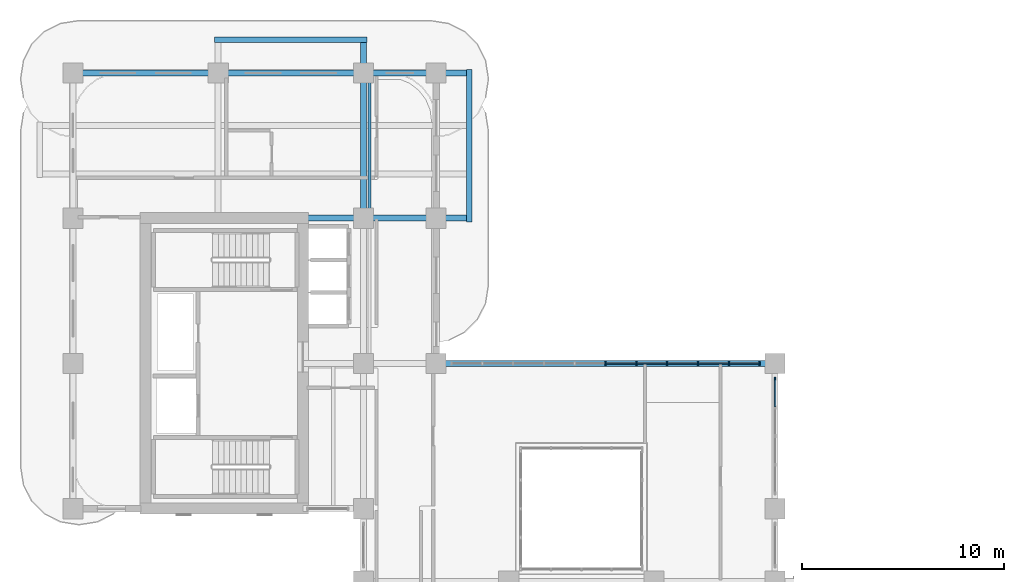
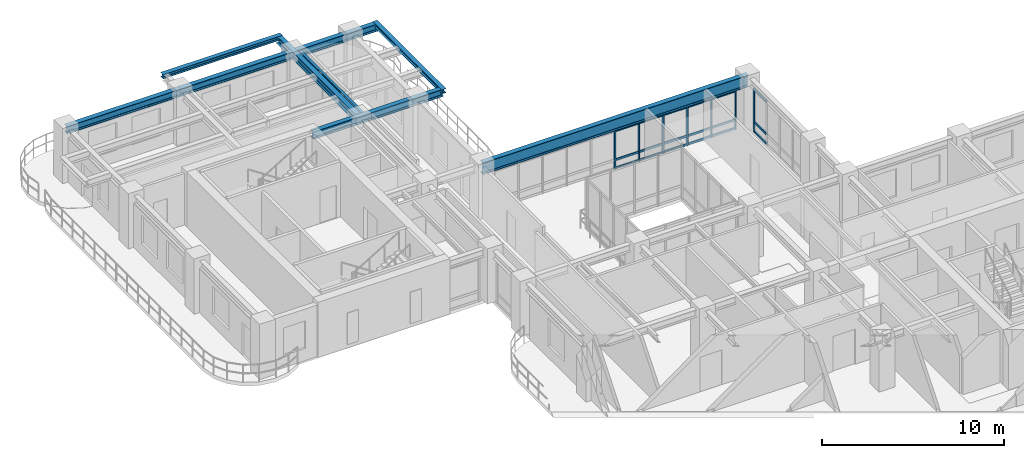
# One storey, part 6 of 20: 25 members, 8 beams, 2 elements without a shape of their own.
"""IFC4 building model written with IfcOpenShell, lengths in metres."""

from ifc_helpers import new_model, si_unit, derived_unit, direction, frame, origin, origin_2d, place, context, subcontext, project, spatial, rectangle, i_section, extrude, source, transform, mapped, material, layer, layer_set, material_profile, profile_set, type_object, type_shapes, element, aggregate, save


model = new_model("IFC4")

# Units and contexts
model_context = context("Model", 3, precision=1e-05, world=origin(), true_north=direction((0.0, 1.0)))
body_context = subcontext(model_context, "Body", "Model", "MODEL_VIEW")
ifc_project = project(units=[si_unit("LENGTHUNIT", "METRE"), si_unit("AREAUNIT", "SQUARE_METRE"), si_unit("VOLUMEUNIT", "CUBIC_METRE"), si_unit("PLANEANGLEUNIT", "RADIAN"), si_unit("MASSUNIT", "GRAM", prefix="KILO"), si_unit("THERMODYNAMICTEMPERATUREUNIT", "KELVIN"), si_unit("POWERUNIT", "WATT"), derived_unit("THERMALTRANSMITTANCEUNIT", [(si_unit("POWERUNIT", "WATT"), 1), (si_unit("AREAUNIT", "SQUARE_METRE"), -1), (si_unit("THERMODYNAMICTEMPERATUREUNIT", "KELVIN"), -1)])], contexts=[model_context])

# Site, building, storey
site_placement = place(None, origin())
site = spatial("IfcSite", under=ifc_project, at=site_placement, CompositionType="ELEMENT")
building_placement = place(site_placement, origin())
building = spatial("IfcBuilding", under=site, at=building_placement, Name="Zahravan Archway Hotel and Residences", CompositionType="ELEMENT")
storey_placement = place(building_placement, frame((0.0, 0.0, 115.5)))
storey = spatial("IfcBuildingStorey", under=building, at=storey_placement, Name="L28", CompositionType="ELEMENT", Elevation=115.5)

# Beams
ifc_material_1 = material(Name="Structural Steel S355JR", Category="steel")
ifc_material_profile_1 = material_profile(ifc_material_1, i_section(OverallWidth=0.280029296875, OverallDepth=0.280029296875, WebThickness=0.010498046875, FlangeThickness=0.01806640625, FilletRadius=0.02392578125, at=origin_2d()), Name="HEB 280", Category="steel")
ifc_profile_set_1 = profile_set([ifc_material_profile_1], Name="Structural Steel S355JR")
beam_type_1 = type_object("IfcBeamType", Name="BM-SPN-HEB280", PredefinedType="SPANDREL", material=ifc_profile_set_1)
shared_shape_1 = source(origin(), body_context, "Body", "SweptSolid", [
    extrude(i_section(OverallWidth=0.280029296875, OverallDepth=0.280029296875, WebThickness=0.010498046875, FlangeThickness=0.01806640625, FilletRadius=0.02392578125, at=origin_2d()), origin(), (0.0, 0.0, 1.0), 7.56005859375),
])
type_shapes(beam_type_1, [shared_shape_1])
for number, where, z_axis, x_axis, name in (
    (1, (19.64990234375, 39.419921875, 3.31005859375), (0.0, 1.0, 0.0), (-1.0, 0.0, 0.0), "L29 EB Balcony Edge Spandrel"),
    (2, (7.02001953125, 48.449951171875, 3.31005859375), (1.0, 0.0, 0.0), (0.0, 1.0, 0.0), "L29 NB Balcony Edge Spandrel"),
):
    element("IfcBeam", number, at=place(storey_placement, frame(where, z_axis=z_axis, x_axis=x_axis)), inside=storey, type_object=beam_type_1, Name=name, PredefinedType="SPANDREL", context=body_context, shape_type="MappedRepresentation", body=[
        mapped(shared_shape_1, transform((0.0, 0.0, 0.0), scale=1.0)),
    ])
ifc_material_2 = material(Name="Structural Steel S355J2", Category="steel")
ifc_material_profile_2 = material_profile(ifc_material_2, i_section(OverallWidth=0.300048828125, OverallDepth=0.800048828125, WebThickness=0.017578125, FlangeThickness=0.032958984375, FilletRadius=0.030029296875, at=origin_2d()), Name="HEB 800", Category="steel")
ifc_profile_set_2 = profile_set([ifc_material_profile_2], Name="Structural Steel S355J2")
beam_type_2 = type_object("IfcBeamType", Name="BM-PRI-HEB800", PredefinedType="BEAM", material=ifc_profile_set_2)
shared_shape_2 = source(origin(), body_context, "Body", "SweptSolid", [
    extrude(i_section(OverallWidth=0.300048828125, OverallDepth=0.800048828125, WebThickness=0.017578125, FlangeThickness=0.032958984375, FilletRadius=0.030029296875, at=origin_2d()), origin(), (0.0, 0.0, 1.0), 16.800048828125),
])
type_shapes(beam_type_2, [shared_shape_2])
beam_1_placement = place(storey_placement, frame((18.0, 32.39990234375, 3.050048828125), z_axis=(1.0, 0.0, 0.0), x_axis=(0.0, 1.0, 0.0)))
element("IfcBeam", 3, at=beam_1_placement, inside=storey, type_object=beam_type_2, Name="L28 Primary Girder EW-18", PredefinedType="BEAM", context=body_context, shape_type="MappedRepresentation", body=[
    mapped(shared_shape_2, transform((0.0, 0.0, 0.0), scale=1.0)),
])
ifc_material_profile_3 = material_profile(ifc_material_1, i_section(OverallWidth=0.300048828125, OverallDepth=0.5, WebThickness=0.014404296875, FlangeThickness=0.028076171875, FilletRadius=0.027099609375, at=origin_2d()), Name="HEB 500", Category="steel")
ifc_profile_set_3 = profile_set([ifc_material_profile_3], Name="Structural Steel S355JR")
beam_type_3 = type_object("IfcBeamType", Name="BM-PRI-HEB500", PredefinedType="BEAM", material=ifc_profile_set_3)
shared_shape_3 = source(origin(), body_context, "Body", "SweptSolid", [
    extrude(i_section(OverallWidth=0.300048828125, OverallDepth=0.5, WebThickness=0.014404296875, FlangeThickness=0.028076171875, FilletRadius=0.027099609375, at=origin_2d()), origin(), (0.0, 0.0, 1.0), 7.199951171875),
])
beam_2_placement = place(storey_placement, frame((0.0, 46.800048828125, 3.199951171875), z_axis=(1.0, 0.0, 0.0), x_axis=(0.0, 1.0, 0.0)))
element("IfcBeam", 4, at=beam_2_placement, inside=storey, type_object=beam_type_3, Name="L28 Primary Girder EW-20", PredefinedType="BEAM", context=body_context, shape_type="MappedRepresentation", body=[
    mapped(shared_shape_3, transform((0.0, 0.0, 0.0), scale=1.0)),
])
ifc_material_profile_4 = material_profile(ifc_material_1, i_section(OverallWidth=0.159912109375, OverallDepth=0.330078125, WebThickness=0.007568359375, FlangeThickness=0.011474609375, FilletRadius=0.01806640625, at=origin_2d()), Name="IPE 330", Category="steel")
ifc_profile_set_4 = profile_set([ifc_material_profile_4], Name="Structural Steel S355JR")
beam_type_4 = type_object("IfcBeamType", Name="BM-JST-IPE330", PredefinedType="JOIST", material=ifc_profile_set_4)
shared_shape_4 = source(origin(), body_context, "Body", "SweptSolid", [
    extrude(i_section(OverallWidth=0.159912109375, OverallDepth=0.330078125, WebThickness=0.007568359375, FlangeThickness=0.011474609375, FilletRadius=0.01806640625, at=origin_2d()), origin(), (0.0, 0.0, 1.0), 6.904052734375),
])
type_shapes(beam_type_4, [shared_shape_4])
beam_3_placement = place(storey_placement, frame((14.699951171875, 39.748046875, 3.284912109375), z_axis=(0.0, 1.0, 0.0), x_axis=(-1.0, 0.0, 0.0)))
element("IfcBeam", 5, at=beam_3_placement, inside=storey, type_object=beam_type_4, Name="L28 Composite Floor Joist 12", PredefinedType="JOIST", context=body_context, shape_type="MappedRepresentation", body=[
    mapped(shared_shape_4, transform((0.0, 0.0, 0.0), scale=1.0)),
])
shared_shape_5 = source(origin(), body_context, "Body", "SweptSolid", [
    extrude(i_section(OverallWidth=0.300048828125, OverallDepth=0.5, WebThickness=0.014404296875, FlangeThickness=0.028076171875, FilletRadius=0.027099609375, at=origin_2d()), origin(), (0.0, 0.0, 1.0), 8.25),
])
beam_4_placement = place(storey_placement, frame((11.39990234375, 39.60009765625, 3.199951171875), z_axis=(1.0, 0.0, 0.0), x_axis=(0.0, 1.0, 0.0)))
element("IfcBeam", 6, at=beam_4_placement, inside=storey, type_object=beam_type_3, Name="L28 Primary Girder EW-19", PredefinedType="BEAM", context=body_context, shape_type="MappedRepresentation", body=[
    mapped(shared_shape_5, transform((0.0, 0.0, 0.0), scale=1.0)),
])
shared_shape_6 = source(origin(), body_context, "Body", "SweptSolid", [
    extrude(i_section(OverallWidth=0.300048828125, OverallDepth=0.5, WebThickness=0.014404296875, FlangeThickness=0.028076171875, FilletRadius=0.027099609375, at=origin_2d()), origin(), (0.0, 0.0, 1.0), 12.449951171875),
])
beam_5_placement = place(storey_placement, frame((7.199951171875, 46.800048828125, 3.199951171875), z_axis=(1.0, 0.0, 0.0), x_axis=(0.0, 1.0, 0.0)))
element("IfcBeam", 7, at=beam_5_placement, inside=storey, type_object=beam_type_3, Name="L28 Primary Girder EW-21", PredefinedType="BEAM", context=body_context, shape_type="MappedRepresentation", body=[
    mapped(shared_shape_6, transform((0.0, 0.0, 0.0), scale=1.0)),
])
shared_shape_7 = source(origin(), body_context, "Body", "SweptSolid", [
    extrude(i_section(OverallWidth=0.300048828125, OverallDepth=0.5, WebThickness=0.014404296875, FlangeThickness=0.028076171875, FilletRadius=0.027099609375, at=origin_2d()), origin(), (0.0, 0.0, 1.0), 8.849853515625),
])
beam_6_placement = place(storey_placement, frame((14.39990234375, 39.60009765625, 3.199951171875), z_axis=(0.0, 1.0, 0.0), x_axis=(-1.0, 0.0, 0.0)))
element("IfcBeam", 8, at=beam_6_placement, inside=storey, type_object=beam_type_3, Name="L28 Primary Girder NS-34", PredefinedType="BEAM", context=body_context, shape_type="MappedRepresentation", body=[
    mapped(shared_shape_7, transform((0.0, 0.0, 0.0), scale=1.0)),
])

# Curtain wall, members
ifc_material_3 = material(Name="Bronze-Anodized Unitised Aluminium & Low-E Glass", Category="aluminium")
ifc_layer = layer(ifc_material_3, 0.179931640625, Name="Bronze-Anodized Unitised Aluminium & Low-E Glass", Category="aluminium")
ifc_layer_set = layer_set([ifc_layer], Name="Bronze-Anodized Unitised Aluminium & Low-E Glass")
curtain_wall_type = type_object("IfcCurtainWallType", Name="CW-ATR-GLAZ", PredefinedType="NOTDEFINED", material=ifc_layer_set)
curtain_wall_1_placement = place(storey_placement, origin())
curtain_wall_1 = element("IfcCurtainWall", 9, at=curtain_wall_1_placement, inside=storey, type_object=curtain_wall_type, Name="L28 Curtain Wall CW-L28-HNG-E-2", PredefinedType="NOTDEFINED")
ifc_material_4 = material(Name="Bronze-Anodized Extruded Aluminium", Category="aluminium")
ifc_material_profile_5 = material_profile(ifc_material_4, rectangle(XDim=0.080078125, YDim=0.139892578125, at=origin_2d()), Name="TRN 80x140", Category="aluminium")
ifc_profile_set_5 = profile_set([ifc_material_profile_5], Name="Bronze-Anodized Extruded Aluminium")
member_type_1 = type_object("IfcMemberType", Name="CWM-TRN-140", PredefinedType="USERDEFINED", material=ifc_profile_set_5)
shared_shape_8 = source(origin(), body_context, "Body", "SweptSolid", [
    extrude(rectangle(XDim=0.080078125, YDim=0.139892578125, at=origin_2d()), origin(), (0.0, 0.0, 1.0), 1.340087890625),
])
member_1_placement = place(storey_placement, frame((34.800048828125, 30.260009765625, 0.070068359375), z_axis=(0.0, 1.0, 0.0), x_axis=(-1.0, 0.0, 0.0)))
member_1 = element("IfcMember", 10, at=member_1_placement, type_object=member_type_1, Name="CW-L28-HNG-E-2 Transom 3-1", ObjectType="TRANSOM", PredefinedType="USERDEFINED", context=body_context, shape_type="MappedRepresentation", body=[
    mapped(shared_shape_8, transform((0.0, 0.0, 0.0), scale=1.0)),
])
member_2_placement = place(storey_placement, frame((34.800048828125, 30.260009765625, 0.704345703125), z_axis=(0.0, 1.0, 0.0), x_axis=(-1.0, 0.0, 0.0)))
member_2 = element("IfcMember", 11, at=member_2_placement, type_object=member_type_1, Name="CW-L28-HNG-E-2 Transom 3-2", ObjectType="TRANSOM", PredefinedType="USERDEFINED", context=body_context, shape_type="MappedRepresentation", body=[
    mapped(shared_shape_8, transform((0.0, 0.0, 0.0), scale=1.0)),
])
member_3_placement = place(storey_placement, frame((34.800048828125, 30.260009765625, 2.864990234375), z_axis=(0.0, 1.0, 0.0), x_axis=(-1.0, 0.0, 0.0)))
member_3 = element("IfcMember", 12, at=member_3_placement, type_object=member_type_1, Name="CW-L28-HNG-E-2 Transom 3-3", ObjectType="TRANSOM", PredefinedType="USERDEFINED", context=body_context, shape_type="MappedRepresentation", body=[
    mapped(shared_shape_8, transform((0.0, 0.0, 0.0), scale=1.0)),
])

curtain_wall_2_placement = place(storey_placement, origin())
curtain_wall_2 = element("IfcCurtainWall", 13, at=curtain_wall_2_placement, inside=storey, type_object=curtain_wall_type, Name="L28 Curtain Wall CW-L28-HNG-N-1", PredefinedType="NOTDEFINED")
ifc_material_profile_6 = material_profile(ifc_material_4, rectangle(XDim=0.080078125, YDim=0.159912109375, at=origin_2d()), Name="MUL 80x160", Category="aluminium")
ifc_profile_set_6 = profile_set([ifc_material_profile_6], Name="Bronze-Anodized Extruded Aluminium")
member_type_2 = type_object("IfcMemberType", Name="CWM-MUL-160", PredefinedType="MULLION", material=ifc_profile_set_6)
shared_shape_9 = source(origin(), body_context, "Body", "SweptSolid", [
    extrude(rectangle(XDim=0.080078125, YDim=0.159912109375, at=origin_2d()), origin(), (0.0, 0.0, 1.0), 2.635009765625),
])
member_4_placement = place(storey_placement, frame((26.39990234375, 32.39990234375, 0.0), z_axis=(0.0, 0.0, 1.0), x_axis=(1.0, 0.0, 0.0)))
member_4 = element("IfcMember", 14, at=member_4_placement, type_object=member_type_2, Name="CW-L28-HNG-N-1 Mullion 5", PredefinedType="MULLION", context=body_context, shape_type="MappedRepresentation", body=[
    mapped(shared_shape_9, transform((0.0, 0.0, 0.0), scale=1.0)),
])
member_5_placement = place(storey_placement, frame((27.927978515625, 32.39990234375, 0.0), z_axis=(0.0, 0.0, 1.0), x_axis=(1.0, 0.0, 0.0)))
member_5 = element("IfcMember", 15, at=member_5_placement, type_object=member_type_2, Name="CW-L28-HNG-N-1 Mullion 6", PredefinedType="MULLION", context=body_context, shape_type="MappedRepresentation", body=[
    mapped(shared_shape_9, transform((0.0, 0.0, 0.0), scale=1.0)),
])
member_6_placement = place(storey_placement, frame((29.4560546875, 32.39990234375, 0.0), z_axis=(0.0, 0.0, 1.0), x_axis=(1.0, 0.0, 0.0)))
member_6 = element("IfcMember", 16, at=member_6_placement, type_object=member_type_2, Name="CW-L28-HNG-N-1 Mullion 7", PredefinedType="MULLION", context=body_context, shape_type="MappedRepresentation", body=[
    mapped(shared_shape_9, transform((0.0, 0.0, 0.0), scale=1.0)),
])
member_7_placement = place(storey_placement, frame((30.98388671875, 32.39990234375, 0.0), z_axis=(0.0, 0.0, 1.0), x_axis=(1.0, 0.0, 0.0)))
member_7 = element("IfcMember", 17, at=member_7_placement, type_object=member_type_2, Name="CW-L28-HNG-N-1 Mullion 8", PredefinedType="MULLION", context=body_context, shape_type="MappedRepresentation", body=[
    mapped(shared_shape_9, transform((0.0, 0.0, 0.0), scale=1.0)),
])
member_8_placement = place(storey_placement, frame((32.511962890625, 32.39990234375, 0.0), z_axis=(0.0, 0.0, 1.0), x_axis=(1.0, 0.0, 0.0)))
member_8 = element("IfcMember", 18, at=member_8_placement, type_object=member_type_2, Name="CW-L28-HNG-N-1 Mullion 9", PredefinedType="MULLION", context=body_context, shape_type="MappedRepresentation", body=[
    mapped(shared_shape_9, transform((0.0, 0.0, 0.0), scale=1.0)),
])
member_9_placement = place(storey_placement, frame((34.0400390625, 32.39990234375, 0.0), z_axis=(0.0, 0.0, 1.0), x_axis=(1.0, 0.0, 0.0)))
member_9 = element("IfcMember", 19, at=member_9_placement, type_object=member_type_2, Name="CW-L28-HNG-N-1 Mullion 10", PredefinedType="MULLION", context=body_context, shape_type="MappedRepresentation", body=[
    mapped(shared_shape_9, transform((0.0, 0.0, 0.0), scale=1.0)),
])
shared_shape_10 = source(origin(), body_context, "Body", "SweptSolid", [
    extrude(rectangle(XDim=0.080078125, YDim=0.139892578125, at=origin_2d()), origin(), (0.0, 0.0, 1.0), 1.447998046875),
])
member_10_placement = place(storey_placement, frame((26.43994140625, 32.39990234375, 0.070068359375), z_axis=(1.0, 0.0, 0.0), x_axis=(0.0, 1.0, 0.0)))
member_10 = element("IfcMember", 20, at=member_10_placement, type_object=member_type_1, Name="CW-L28-HNG-N-1 Transom 5-1", ObjectType="TRANSOM", PredefinedType="USERDEFINED", context=body_context, shape_type="MappedRepresentation", body=[
    mapped(shared_shape_10, transform((0.0, 0.0, 0.0), scale=1.0)),
])
member_11_placement = place(storey_placement, frame((26.43994140625, 32.39990234375, 0.63232421875), z_axis=(1.0, 0.0, 0.0), x_axis=(0.0, 1.0, 0.0)))
member_11 = element("IfcMember", 21, at=member_11_placement, type_object=member_type_1, Name="CW-L28-HNG-N-1 Transom 5-2", ObjectType="TRANSOM", PredefinedType="USERDEFINED", context=body_context, shape_type="MappedRepresentation", body=[
    mapped(shared_shape_10, transform((0.0, 0.0, 0.0), scale=1.0)),
])
member_12_placement = place(storey_placement, frame((26.43994140625, 32.39990234375, 2.56494140625), z_axis=(1.0, 0.0, 0.0), x_axis=(0.0, 1.0, 0.0)))
member_12 = element("IfcMember", 22, at=member_12_placement, type_object=member_type_1, Name="CW-L28-HNG-N-1 Transom 5-3", ObjectType="TRANSOM", PredefinedType="USERDEFINED", context=body_context, shape_type="MappedRepresentation", body=[
    mapped(shared_shape_10, transform((0.0, 0.0, 0.0), scale=1.0)),
])
member_13_placement = place(storey_placement, frame((27.968017578125, 32.39990234375, 0.070068359375), z_axis=(1.0, 0.0, 0.0), x_axis=(0.0, 1.0, 0.0)))
member_13 = element("IfcMember", 23, at=member_13_placement, type_object=member_type_1, Name="CW-L28-HNG-N-1 Transom 6-1", ObjectType="TRANSOM", PredefinedType="USERDEFINED", context=body_context, shape_type="MappedRepresentation", body=[
    mapped(shared_shape_10, transform((0.0, 0.0, 0.0), scale=1.0)),
])
member_14_placement = place(storey_placement, frame((27.968017578125, 32.39990234375, 0.63232421875), z_axis=(1.0, 0.0, 0.0), x_axis=(0.0, 1.0, 0.0)))
member_14 = element("IfcMember", 24, at=member_14_placement, type_object=member_type_1, Name="CW-L28-HNG-N-1 Transom 6-2", ObjectType="TRANSOM", PredefinedType="USERDEFINED", context=body_context, shape_type="MappedRepresentation", body=[
    mapped(shared_shape_10, transform((0.0, 0.0, 0.0), scale=1.0)),
])
member_15_placement = place(storey_placement, frame((27.968017578125, 32.39990234375, 2.56494140625), z_axis=(1.0, 0.0, 0.0), x_axis=(0.0, 1.0, 0.0)))
member_15 = element("IfcMember", 25, at=member_15_placement, type_object=member_type_1, Name="CW-L28-HNG-N-1 Transom 6-3", ObjectType="TRANSOM", PredefinedType="USERDEFINED", context=body_context, shape_type="MappedRepresentation", body=[
    mapped(shared_shape_10, transform((0.0, 0.0, 0.0), scale=1.0)),
])
member_16_placement = place(storey_placement, frame((29.49609375, 32.39990234375, 0.070068359375), z_axis=(1.0, 0.0, 0.0), x_axis=(0.0, 1.0, 0.0)))
member_16 = element("IfcMember", 26, at=member_16_placement, type_object=member_type_1, Name="CW-L28-HNG-N-1 Transom 7-1", ObjectType="TRANSOM", PredefinedType="USERDEFINED", context=body_context, shape_type="MappedRepresentation", body=[
    mapped(shared_shape_10, transform((0.0, 0.0, 0.0), scale=1.0)),
])
member_17_placement = place(storey_placement, frame((29.49609375, 32.39990234375, 0.63232421875), z_axis=(1.0, 0.0, 0.0), x_axis=(0.0, 1.0, 0.0)))
member_17 = element("IfcMember", 27, at=member_17_placement, type_object=member_type_1, Name="CW-L28-HNG-N-1 Transom 7-2", ObjectType="TRANSOM", PredefinedType="USERDEFINED", context=body_context, shape_type="MappedRepresentation", body=[
    mapped(shared_shape_10, transform((0.0, 0.0, 0.0), scale=1.0)),
])
member_18_placement = place(storey_placement, frame((29.49609375, 32.39990234375, 2.56494140625), z_axis=(1.0, 0.0, 0.0), x_axis=(0.0, 1.0, 0.0)))
member_18 = element("IfcMember", 28, at=member_18_placement, type_object=member_type_1, Name="CW-L28-HNG-N-1 Transom 7-3", ObjectType="TRANSOM", PredefinedType="USERDEFINED", context=body_context, shape_type="MappedRepresentation", body=[
    mapped(shared_shape_10, transform((0.0, 0.0, 0.0), scale=1.0)),
])
member_19_placement = place(storey_placement, frame((31.02392578125, 32.39990234375, 0.070068359375), z_axis=(1.0, 0.0, 0.0), x_axis=(0.0, 1.0, 0.0)))
member_19 = element("IfcMember", 29, at=member_19_placement, type_object=member_type_1, Name="CW-L28-HNG-N-1 Transom 8-1", ObjectType="TRANSOM", PredefinedType="USERDEFINED", context=body_context, shape_type="MappedRepresentation", body=[
    mapped(shared_shape_10, transform((0.0, 0.0, 0.0), scale=1.0)),
])
member_20_placement = place(storey_placement, frame((31.02392578125, 32.39990234375, 0.63232421875), z_axis=(1.0, 0.0, 0.0), x_axis=(0.0, 1.0, 0.0)))
member_20 = element("IfcMember", 30, at=member_20_placement, type_object=member_type_1, Name="CW-L28-HNG-N-1 Transom 8-2", ObjectType="TRANSOM", PredefinedType="USERDEFINED", context=body_context, shape_type="MappedRepresentation", body=[
    mapped(shared_shape_10, transform((0.0, 0.0, 0.0), scale=1.0)),
])
member_21_placement = place(storey_placement, frame((31.02392578125, 32.39990234375, 2.56494140625), z_axis=(1.0, 0.0, 0.0), x_axis=(0.0, 1.0, 0.0)))
member_21 = element("IfcMember", 31, at=member_21_placement, type_object=member_type_1, Name="CW-L28-HNG-N-1 Transom 8-3", ObjectType="TRANSOM", PredefinedType="USERDEFINED", context=body_context, shape_type="MappedRepresentation", body=[
    mapped(shared_shape_10, transform((0.0, 0.0, 0.0), scale=1.0)),
])
member_22_placement = place(storey_placement, frame((32.552001953125, 32.39990234375, 0.070068359375), z_axis=(1.0, 0.0, 0.0), x_axis=(0.0, 1.0, 0.0)))
member_22 = element("IfcMember", 32, at=member_22_placement, type_object=member_type_1, Name="CW-L28-HNG-N-1 Transom 9-1", ObjectType="TRANSOM", PredefinedType="USERDEFINED", context=body_context, shape_type="MappedRepresentation", body=[
    mapped(shared_shape_10, transform((0.0, 0.0, 0.0), scale=1.0)),
])
member_23_placement = place(storey_placement, frame((32.552001953125, 32.39990234375, 0.63232421875), z_axis=(1.0, 0.0, 0.0), x_axis=(0.0, 1.0, 0.0)))
member_23 = element("IfcMember", 33, at=member_23_placement, type_object=member_type_1, Name="CW-L28-HNG-N-1 Transom 9-2", ObjectType="TRANSOM", PredefinedType="USERDEFINED", context=body_context, shape_type="MappedRepresentation", body=[
    mapped(shared_shape_10, transform((0.0, 0.0, 0.0), scale=1.0)),
])
member_24_placement = place(storey_placement, frame((32.552001953125, 32.39990234375, 2.56494140625), z_axis=(1.0, 0.0, 0.0), x_axis=(0.0, 1.0, 0.0)))
member_24 = element("IfcMember", 34, at=member_24_placement, type_object=member_type_1, Name="CW-L28-HNG-N-1 Transom 9-3", ObjectType="TRANSOM", PredefinedType="USERDEFINED", context=body_context, shape_type="MappedRepresentation", body=[
    mapped(shared_shape_10, transform((0.0, 0.0, 0.0), scale=1.0)),
])
aggregate(curtain_wall_2, [member_4, member_5, member_6, member_7, member_8, member_9, member_10, member_11, member_12, member_13, member_14, member_15, member_16, member_17, member_18, member_19, member_20, member_21, member_22, member_23, member_24])

# Member
shared_shape_11 = source(origin(), body_context, "Body", "SweptSolid", [
    extrude(rectangle(XDim=0.080078125, YDim=0.159912109375, at=origin_2d()), origin(), (0.0, 0.0, 1.0), 2.93505859375),
])
member_25_placement = place(storey_placement, frame((34.800048828125, 31.639892578125, 0.0), z_axis=(0.0, 0.0, 1.0), x_axis=(1.0, 0.0, 0.0)))
member_25 = element("IfcMember", 35, at=member_25_placement, type_object=member_type_2, Name="CW-L28-HNG-E-2 Mullion 4", PredefinedType="MULLION", context=body_context, shape_type="MappedRepresentation", body=[
    mapped(shared_shape_11, transform((0.0, 0.0, 0.0), scale=1.0)),
])

aggregate(curtain_wall_1, [member_25, member_1, member_2, member_3])

save(model, "model.ifc")
